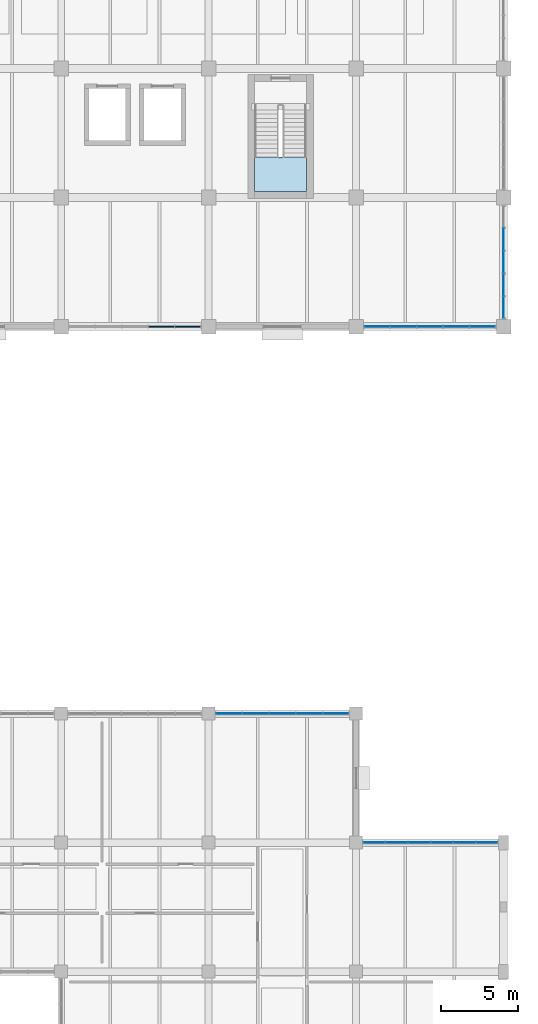
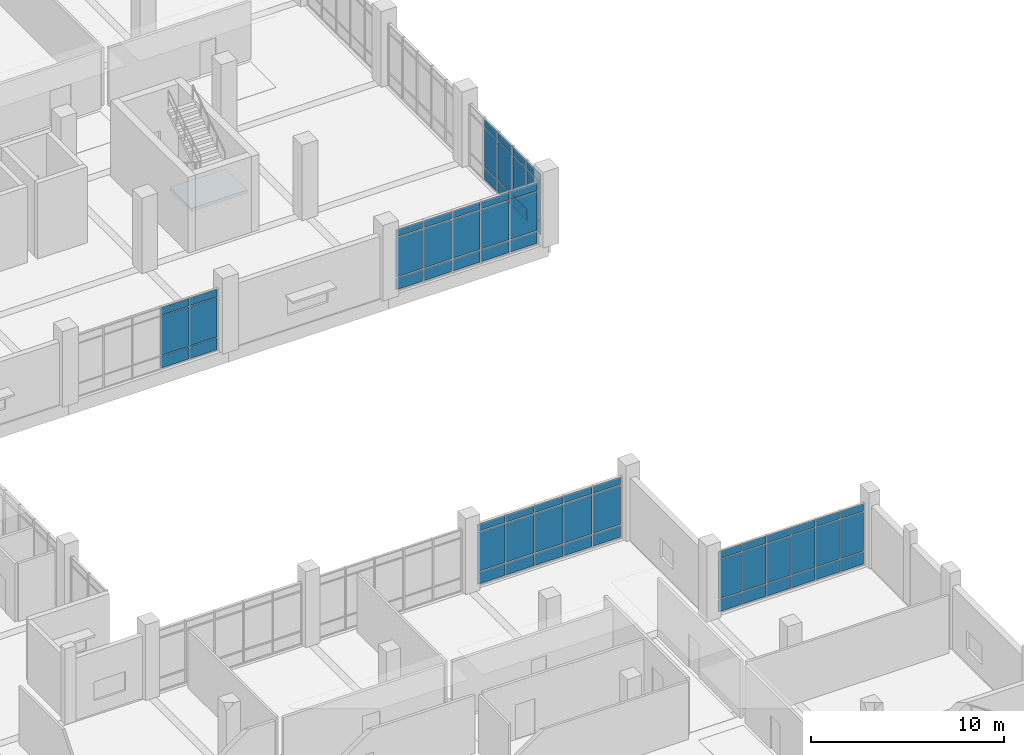
# One storey, part 106 of 152: 66 plates, 1 slab, 6 elements without a shape of their own.
"""IFC4 building model written with IfcOpenShell, lengths in metres."""

from ifc_helpers import new_model, si_unit, direction, frame, origin, origin_2d, place, context, subcontext, project, spatial, polyline, rectangle, outline, extrude, material, layer, layer_set, type_object, element, aggregate, save


model = new_model("IFC4")

# Units and contexts
model_context = context("Model", 3, precision=1e-05, world=origin(), true_north=direction((0.0, 1.0)))
body_context = subcontext(model_context, "Body", "Model", "MODEL_VIEW")
ifc_project = project(units=[si_unit("LENGTHUNIT", "METRE"), si_unit("AREAUNIT", "SQUARE_METRE"), si_unit("VOLUMEUNIT", "CUBIC_METRE"), si_unit("PLANEANGLEUNIT", "RADIAN"), si_unit("MASSUNIT", "GRAM", prefix="KILO")], contexts=[model_context])

# Site, building, storey
site_placement = place(None, origin())
site = spatial("IfcSite", under=ifc_project, at=site_placement, CompositionType="ELEMENT")
building_placement = place(site_placement, origin())
building = spatial("IfcBuilding", under=site, at=building_placement, Name="Oolite Switchyard Hospital", CompositionType="ELEMENT")
storey_placement = place(building_placement, frame((0.0, 0.0, 5.10009765625)))
storey = spatial("IfcBuildingStorey", under=building, at=storey_placement, Name="L01", CompositionType="ELEMENT", Elevation=5.10009765625)

# Curtain wall, plates
ifc_material_1 = material(Name="Thermally broken aluminum frame with laminated impact glazing", Category="aluminium")
curtain_wall_type_1 = type_object("IfcCurtainWallType", Name="CW-UNIT-96X48", PredefinedType="USERDEFINED", material=ifc_material_1)
curtain_wall_1_placement = place(storey_placement, origin())
curtain_wall_1 = element("IfcCurtainWall", 1, at=curtain_wall_1_placement, inside=storey, type_object=curtain_wall_type_1, Name="L01 Unitised Curtain Wall 144", ObjectType="UNITISED", PredefinedType="USERDEFINED")
ifc_material_2 = material(Name="Insulated fluoropolymer-coated aluminum spandrel panel", Category="aluminium")
ifc_layer_1 = layer(ifc_material_2, 0.070068359375)
ifc_layer_set_1 = layer_set([ifc_layer_1], Name="CW-PNL-SPN70")
plate_type_1 = type_object("IfcPlateType", Name="CW-PNL-SPN70", PredefinedType="CURTAIN_PANEL", material=ifc_layer_set_1)
plate_1_placement = place(storey_placement, frame((190.630615234375, 100.800048828125, 0.06005859375), z_axis=(0.0, 0.0, 1.0), x_axis=(-1.0, 0.0, 0.0)))
plate_1 = element("IfcPlate", 2, at=plate_1_placement, type_object=plate_type_1, Name="CW-02 panel 1.1", PredefinedType="CURTAIN_PANEL", context=body_context, shape_type="SweptSolid", body=[
    extrude(rectangle(XDim=1.618896484375, YDim=0.070068359375, at=origin_2d()), origin(), (0.0, 0.0, 1.0), 0.760009765625),
])
plate_2_placement = place(storey_placement, frame((190.630615234375, 100.800048828125, 0.8798828125), z_axis=(0.0, 0.0, 1.0), x_axis=(-1.0, 0.0, 0.0)))
plate_2 = element("IfcPlate", 3, at=plate_2_placement, type_object=plate_type_1, Name="CW-02 panel 1.2", PredefinedType="CURTAIN_PANEL", context=body_context, shape_type="SweptSolid", body=[
    extrude(rectangle(XDim=1.618896484375, YDim=0.070068359375, at=origin_2d()), origin(), (0.0, 0.0, 1.0), 2.47998046875),
])
plate_3_placement = place(storey_placement, frame((190.630615234375, 100.800048828125, 3.419921875), z_axis=(0.0, 0.0, 1.0), x_axis=(-1.0, 0.0, 0.0)))
plate_3 = element("IfcPlate", 4, at=plate_3_placement, type_object=plate_type_1, Name="CW-02 panel 1.3", PredefinedType="CURTAIN_PANEL", context=body_context, shape_type="SweptSolid", body=[
    extrude(rectangle(XDim=1.618896484375, YDim=0.070068359375, at=origin_2d()), origin(), (0.0, 0.0, 1.0), 0.4599609375),
])
plate_4_placement = place(storey_placement, frame((188.924072265625, 100.800048828125, 0.06005859375), z_axis=(0.0, 0.0, 1.0), x_axis=(-1.0, 0.0, 0.0)))
plate_4 = element("IfcPlate", 5, at=plate_4_placement, type_object=plate_type_1, Name="CW-02 panel 2.1", PredefinedType="CURTAIN_PANEL", context=body_context, shape_type="SweptSolid", body=[
    extrude(rectangle(XDim=1.654052734375, YDim=0.070068359375, at=origin_2d()), origin(), (0.0, 0.0, 1.0), 0.760009765625),
])
plate_5_placement = place(storey_placement, frame((188.924072265625, 100.800048828125, 0.8798828125), z_axis=(0.0, 0.0, 1.0), x_axis=(-1.0, 0.0, 0.0)))
plate_5 = element("IfcPlate", 6, at=plate_5_placement, type_object=plate_type_1, Name="CW-02 panel 2.2", PredefinedType="CURTAIN_PANEL", context=body_context, shape_type="SweptSolid", body=[
    extrude(rectangle(XDim=1.654052734375, YDim=0.070068359375, at=origin_2d()), origin(), (0.0, 0.0, 1.0), 2.47998046875),
])
plate_6_placement = place(storey_placement, frame((188.924072265625, 100.800048828125, 3.419921875), z_axis=(0.0, 0.0, 1.0), x_axis=(-1.0, 0.0, 0.0)))
plate_6 = element("IfcPlate", 7, at=plate_6_placement, type_object=plate_type_1, Name="CW-02 panel 2.3", PredefinedType="CURTAIN_PANEL", context=body_context, shape_type="SweptSolid", body=[
    extrude(rectangle(XDim=1.654052734375, YDim=0.070068359375, at=origin_2d()), origin(), (0.0, 0.0, 1.0), 0.4599609375),
])
aggregate(curtain_wall_1, [plate_1, plate_2, plate_3, plate_4, plate_5, plate_6])

curtain_wall_2_placement = place(storey_placement, origin())
curtain_wall_2 = element("IfcCurtainWall", 8, at=curtain_wall_2_placement, inside=storey, type_object=curtain_wall_type_1, Name="L01 Unitised Curtain Wall 134", ObjectType="UNITISED", PredefinedType="USERDEFINED")
ifc_material_3 = material(Name="Laminated hurricane-impact insulated glazing unit", Category="glass")
ifc_layer_2 = layer(ifc_material_3, 0.031982421875)
ifc_layer_set_2 = layer_set([ifc_layer_2], Name="CW-PNL-VIS32")
plate_type_2 = type_object("IfcPlateType", Name="CW-PNL-VIS32", PredefinedType="CURTAIN_PANEL", material=ifc_layer_set_2)
plate_7_placement = place(storey_placement, frame((202.7900390625, 67.199951171875, 0.06005859375), z_axis=(0.0, 0.0, 1.0), x_axis=(1.0, 0.0, 0.0)))
plate_7 = element("IfcPlate", 9, at=plate_7_placement, type_object=plate_type_2, Name="CW-02 panel 1.1", PredefinedType="CURTAIN_PANEL", context=body_context, shape_type="SweptSolid", body=[
    extrude(rectangle(XDim=1.3798828125, YDim=0.031982421875, at=origin_2d()), origin(), (0.0, 0.0, 1.0), 0.760009765625),
])
plate_8_placement = place(storey_placement, frame((202.7900390625, 67.199951171875, 0.8798828125), z_axis=(0.0, 0.0, 1.0), x_axis=(1.0, 0.0, 0.0)))
plate_8 = element("IfcPlate", 10, at=plate_8_placement, type_object=plate_type_2, Name="CW-02 panel 1.2", PredefinedType="CURTAIN_PANEL", context=body_context, shape_type="SweptSolid", body=[
    extrude(rectangle(XDim=1.3798828125, YDim=0.031982421875, at=origin_2d()), origin(), (0.0, 0.0, 1.0), 2.47998046875),
])
plate_9_placement = place(storey_placement, frame((202.7900390625, 67.199951171875, 3.419921875), z_axis=(0.0, 0.0, 1.0), x_axis=(1.0, 0.0, 0.0)))
plate_9 = element("IfcPlate", 11, at=plate_9_placement, type_object=plate_type_2, Name="CW-02 panel 1.3", PredefinedType="CURTAIN_PANEL", context=body_context, shape_type="SweptSolid", body=[
    extrude(rectangle(XDim=1.3798828125, YDim=0.031982421875, at=origin_2d()), origin(), (0.0, 0.0, 1.0), 0.4599609375),
])
plate_10_placement = place(storey_placement, frame((204.2451171875, 67.199951171875, 0.06005859375), z_axis=(0.0, 0.0, 1.0), x_axis=(1.0, 0.0, 0.0)))
plate_10 = element("IfcPlate", 12, at=plate_10_placement, type_object=plate_type_2, Name="CW-02 panel 2.1", PredefinedType="CURTAIN_PANEL", context=body_context, shape_type="SweptSolid", body=[
    extrude(rectangle(XDim=1.409912109375, YDim=0.031982421875, at=origin_2d()), origin(), (0.0, 0.0, 1.0), 0.760009765625),
])
plate_11_placement = place(storey_placement, frame((204.2451171875, 67.199951171875, 0.8798828125), z_axis=(0.0, 0.0, 1.0), x_axis=(1.0, 0.0, 0.0)))
plate_11 = element("IfcPlate", 13, at=plate_11_placement, type_object=plate_type_2, Name="CW-02 panel 2.2", PredefinedType="CURTAIN_PANEL", context=body_context, shape_type="SweptSolid", body=[
    extrude(rectangle(XDim=1.409912109375, YDim=0.031982421875, at=origin_2d()), origin(), (0.0, 0.0, 1.0), 2.47998046875),
])
plate_12_placement = place(storey_placement, frame((204.2451171875, 67.199951171875, 3.419921875), z_axis=(0.0, 0.0, 1.0), x_axis=(1.0, 0.0, 0.0)))
plate_12 = element("IfcPlate", 14, at=plate_12_placement, type_object=plate_type_2, Name="CW-02 panel 2.3", PredefinedType="CURTAIN_PANEL", context=body_context, shape_type="SweptSolid", body=[
    extrude(rectangle(XDim=1.409912109375, YDim=0.031982421875, at=origin_2d()), origin(), (0.0, 0.0, 1.0), 0.4599609375),
])
plate_13_placement = place(storey_placement, frame((205.715087890625, 67.199951171875, 0.06005859375), z_axis=(0.0, 0.0, 1.0), x_axis=(1.0, 0.0, 0.0)))
plate_13 = element("IfcPlate", 15, at=plate_13_placement, type_object=plate_type_2, Name="CW-02 panel 3.1", PredefinedType="CURTAIN_PANEL", context=body_context, shape_type="SweptSolid", body=[
    extrude(rectangle(XDim=1.409912109375, YDim=0.031982421875, at=origin_2d()), origin(), (0.0, 0.0, 1.0), 0.760009765625),
])
plate_14_placement = place(storey_placement, frame((205.715087890625, 67.199951171875, 0.8798828125), z_axis=(0.0, 0.0, 1.0), x_axis=(1.0, 0.0, 0.0)))
plate_14 = element("IfcPlate", 16, at=plate_14_placement, type_object=plate_type_2, Name="CW-02 panel 3.2", PredefinedType="CURTAIN_PANEL", context=body_context, shape_type="SweptSolid", body=[
    extrude(rectangle(XDim=1.409912109375, YDim=0.031982421875, at=origin_2d()), origin(), (0.0, 0.0, 1.0), 2.47998046875),
])
plate_15_placement = place(storey_placement, frame((205.715087890625, 67.199951171875, 3.419921875), z_axis=(0.0, 0.0, 1.0), x_axis=(1.0, 0.0, 0.0)))
plate_15 = element("IfcPlate", 17, at=plate_15_placement, type_object=plate_type_2, Name="CW-02 panel 3.3", PredefinedType="CURTAIN_PANEL", context=body_context, shape_type="SweptSolid", body=[
    extrude(rectangle(XDim=1.409912109375, YDim=0.031982421875, at=origin_2d()), origin(), (0.0, 0.0, 1.0), 0.4599609375),
])
plate_16_placement = place(storey_placement, frame((207.18505859375, 67.199951171875, 0.06005859375), z_axis=(0.0, 0.0, 1.0), x_axis=(1.0, 0.0, 0.0)))
plate_16 = element("IfcPlate", 18, at=plate_16_placement, type_object=plate_type_2, Name="CW-02 panel 4.1", PredefinedType="CURTAIN_PANEL", context=body_context, shape_type="SweptSolid", body=[
    extrude(rectangle(XDim=1.409912109375, YDim=0.031982421875, at=origin_2d()), origin(), (0.0, 0.0, 1.0), 0.760009765625),
])
plate_17_placement = place(storey_placement, frame((207.18505859375, 67.199951171875, 0.8798828125), z_axis=(0.0, 0.0, 1.0), x_axis=(1.0, 0.0, 0.0)))
plate_17 = element("IfcPlate", 19, at=plate_17_placement, type_object=plate_type_2, Name="CW-02 panel 4.2", PredefinedType="CURTAIN_PANEL", context=body_context, shape_type="SweptSolid", body=[
    extrude(rectangle(XDim=1.409912109375, YDim=0.031982421875, at=origin_2d()), origin(), (0.0, 0.0, 1.0), 2.47998046875),
])
plate_18_placement = place(storey_placement, frame((207.18505859375, 67.199951171875, 3.419921875), z_axis=(0.0, 0.0, 1.0), x_axis=(1.0, 0.0, 0.0)))
plate_18 = element("IfcPlate", 20, at=plate_18_placement, type_object=plate_type_2, Name="CW-02 panel 4.3", PredefinedType="CURTAIN_PANEL", context=body_context, shape_type="SweptSolid", body=[
    extrude(rectangle(XDim=1.409912109375, YDim=0.031982421875, at=origin_2d()), origin(), (0.0, 0.0, 1.0), 0.4599609375),
])
plate_19_placement = place(storey_placement, frame((208.655029296875, 67.199951171875, 0.06005859375), z_axis=(0.0, 0.0, 1.0), x_axis=(1.0, 0.0, 0.0)))
plate_19 = element("IfcPlate", 21, at=plate_19_placement, type_object=plate_type_2, Name="CW-02 panel 5.1", PredefinedType="CURTAIN_PANEL", context=body_context, shape_type="SweptSolid", body=[
    extrude(rectangle(XDim=1.409912109375, YDim=0.031982421875, at=origin_2d()), origin(), (0.0, 0.0, 1.0), 0.760009765625),
])
plate_20_placement = place(storey_placement, frame((208.655029296875, 67.199951171875, 0.8798828125), z_axis=(0.0, 0.0, 1.0), x_axis=(1.0, 0.0, 0.0)))
plate_20 = element("IfcPlate", 22, at=plate_20_placement, type_object=plate_type_2, Name="CW-02 panel 5.2", PredefinedType="CURTAIN_PANEL", context=body_context, shape_type="SweptSolid", body=[
    extrude(rectangle(XDim=1.409912109375, YDim=0.031982421875, at=origin_2d()), origin(), (0.0, 0.0, 1.0), 2.47998046875),
])
plate_21_placement = place(storey_placement, frame((208.655029296875, 67.199951171875, 3.419921875), z_axis=(0.0, 0.0, 1.0), x_axis=(1.0, 0.0, 0.0)))
plate_21 = element("IfcPlate", 23, at=plate_21_placement, type_object=plate_type_2, Name="CW-02 panel 5.3", PredefinedType="CURTAIN_PANEL", context=body_context, shape_type="SweptSolid", body=[
    extrude(rectangle(XDim=1.409912109375, YDim=0.031982421875, at=origin_2d()), origin(), (0.0, 0.0, 1.0), 0.4599609375),
])
plate_22_placement = place(storey_placement, frame((210.110107421875, 67.199951171875, 0.06005859375), z_axis=(0.0, 0.0, 1.0), x_axis=(1.0, 0.0, 0.0)))
plate_22 = element("IfcPlate", 24, at=plate_22_placement, type_object=plate_type_2, Name="CW-02 panel 6.1", PredefinedType="CURTAIN_PANEL", context=body_context, shape_type="SweptSolid", body=[
    extrude(rectangle(XDim=1.3798828125, YDim=0.031982421875, at=origin_2d()), origin(), (0.0, 0.0, 1.0), 0.760009765625),
])
plate_23_placement = place(storey_placement, frame((210.110107421875, 67.199951171875, 0.8798828125), z_axis=(0.0, 0.0, 1.0), x_axis=(1.0, 0.0, 0.0)))
plate_23 = element("IfcPlate", 25, at=plate_23_placement, type_object=plate_type_2, Name="CW-02 panel 6.2", PredefinedType="CURTAIN_PANEL", context=body_context, shape_type="SweptSolid", body=[
    extrude(rectangle(XDim=1.3798828125, YDim=0.031982421875, at=origin_2d()), origin(), (0.0, 0.0, 1.0), 2.47998046875),
])
plate_24_placement = place(storey_placement, frame((210.110107421875, 67.199951171875, 3.419921875), z_axis=(0.0, 0.0, 1.0), x_axis=(1.0, 0.0, 0.0)))
plate_24 = element("IfcPlate", 26, at=plate_24_placement, type_object=plate_type_2, Name="CW-02 panel 6.3", PredefinedType="CURTAIN_PANEL", context=body_context, shape_type="SweptSolid", body=[
    extrude(rectangle(XDim=1.3798828125, YDim=0.031982421875, at=origin_2d()), origin(), (0.0, 0.0, 1.0), 0.4599609375),
])
aggregate(curtain_wall_2, [plate_7, plate_8, plate_9, plate_10, plate_11, plate_12, plate_13, plate_14, plate_15, plate_16, plate_17, plate_18, plate_19, plate_20, plate_21, plate_22, plate_23, plate_24])

curtain_wall_3_placement = place(storey_placement, origin())
curtain_wall_3 = element("IfcCurtainWall", 27, at=curtain_wall_3_placement, inside=storey, type_object=curtain_wall_type_1, Name="L01 Unitised Curtain Wall 137", ObjectType="UNITISED", PredefinedType="USERDEFINED")
ifc_layer_3 = layer(ifc_material_3, 0.035888671875)
ifc_layer_set_3 = layer_set([ifc_layer_3], Name="CW-PNL-VIS36")
plate_type_3 = type_object("IfcPlateType", Name="CW-PNL-VIS36", PredefinedType="CURTAIN_PANEL", material=ifc_layer_set_3)
plate_25_placement = place(storey_placement, frame((193.326904296875, 75.60009765625, 0.07470703125), z_axis=(0.0, 0.0, 1.0), x_axis=(1.0, 0.0, 0.0)))
plate_25 = element("IfcPlate", 28, at=plate_25_placement, type_object=plate_type_3, Name="CW-02 panel 1.1", PredefinedType="CURTAIN_PANEL", context=body_context, shape_type="SweptSolid", body=[
    extrude(rectangle(XDim=1.654052734375, YDim=0.035888671875, at=origin_2d()), origin(), (0.0, 0.0, 1.0), 0.737548828125),
])
plate_26_placement = place(storey_placement, frame((193.326904296875, 75.60009765625, 0.88720703125), z_axis=(0.0, 0.0, 1.0), x_axis=(1.0, 0.0, 0.0)))
plate_26 = element("IfcPlate", 29, at=plate_26_placement, type_object=plate_type_3, Name="CW-02 panel 1.2", PredefinedType="CURTAIN_PANEL", context=body_context, shape_type="SweptSolid", body=[
    extrude(rectangle(XDim=1.654052734375, YDim=0.035888671875, at=origin_2d()), origin(), (0.0, 0.0, 1.0), 2.465087890625),
])
plate_27_placement = place(storey_placement, frame((193.326904296875, 75.60009765625, 3.427490234375), z_axis=(0.0, 0.0, 1.0), x_axis=(1.0, 0.0, 0.0)))
plate_27 = element("IfcPlate", 30, at=plate_27_placement, type_object=plate_type_3, Name="CW-02 panel 1.3", PredefinedType="CURTAIN_PANEL", context=body_context, shape_type="SweptSolid", body=[
    extrude(rectangle(XDim=1.654052734375, YDim=0.035888671875, at=origin_2d()), origin(), (0.0, 0.0, 1.0), 0.4375),
])
plate_28_placement = place(storey_placement, frame((195.055908203125, 75.60009765625, 0.07470703125), z_axis=(0.0, 0.0, 1.0), x_axis=(1.0, 0.0, 0.0)))
plate_28 = element("IfcPlate", 31, at=plate_28_placement, type_object=plate_type_3, Name="CW-02 panel 2.1", PredefinedType="CURTAIN_PANEL", context=body_context, shape_type="SweptSolid", body=[
    extrude(rectangle(XDim=1.68408203125, YDim=0.035888671875, at=origin_2d()), origin(), (0.0, 0.0, 1.0), 0.737548828125),
])
plate_29_placement = place(storey_placement, frame((195.055908203125, 75.60009765625, 0.88720703125), z_axis=(0.0, 0.0, 1.0), x_axis=(1.0, 0.0, 0.0)))
plate_29 = element("IfcPlate", 32, at=plate_29_placement, type_object=plate_type_3, Name="CW-02 panel 2.2", PredefinedType="CURTAIN_PANEL", context=body_context, shape_type="SweptSolid", body=[
    extrude(rectangle(XDim=1.68408203125, YDim=0.035888671875, at=origin_2d()), origin(), (0.0, 0.0, 1.0), 2.465087890625),
])
plate_30_placement = place(storey_placement, frame((195.055908203125, 75.60009765625, 3.427490234375), z_axis=(0.0, 0.0, 1.0), x_axis=(1.0, 0.0, 0.0)))
plate_30 = element("IfcPlate", 33, at=plate_30_placement, type_object=plate_type_3, Name="CW-02 panel 2.3", PredefinedType="CURTAIN_PANEL", context=body_context, shape_type="SweptSolid", body=[
    extrude(rectangle(XDim=1.68408203125, YDim=0.035888671875, at=origin_2d()), origin(), (0.0, 0.0, 1.0), 0.4375),
])
plate_31_placement = place(storey_placement, frame((196.800048828125, 75.60009765625, 0.07470703125), z_axis=(0.0, 0.0, 1.0), x_axis=(1.0, 0.0, 0.0)))
plate_31 = element("IfcPlate", 34, at=plate_31_placement, type_object=plate_type_3, Name="CW-02 panel 3.1", PredefinedType="CURTAIN_PANEL", context=body_context, shape_type="SweptSolid", body=[
    extrude(rectangle(XDim=1.68408203125, YDim=0.035888671875, at=origin_2d()), origin(), (0.0, 0.0, 1.0), 0.737548828125),
])
plate_32_placement = place(storey_placement, frame((196.800048828125, 75.60009765625, 0.88720703125), z_axis=(0.0, 0.0, 1.0), x_axis=(1.0, 0.0, 0.0)))
plate_32 = element("IfcPlate", 35, at=plate_32_placement, type_object=plate_type_3, Name="CW-02 panel 3.2", PredefinedType="CURTAIN_PANEL", context=body_context, shape_type="SweptSolid", body=[
    extrude(rectangle(XDim=1.68408203125, YDim=0.035888671875, at=origin_2d()), origin(), (0.0, 0.0, 1.0), 2.465087890625),
])
plate_33_placement = place(storey_placement, frame((196.800048828125, 75.60009765625, 3.427490234375), z_axis=(0.0, 0.0, 1.0), x_axis=(1.0, 0.0, 0.0)))
plate_33 = element("IfcPlate", 36, at=plate_33_placement, type_object=plate_type_3, Name="CW-02 panel 3.3", PredefinedType="CURTAIN_PANEL", context=body_context, shape_type="SweptSolid", body=[
    extrude(rectangle(XDim=1.68408203125, YDim=0.035888671875, at=origin_2d()), origin(), (0.0, 0.0, 1.0), 0.4375),
])
plate_34_placement = place(storey_placement, frame((198.5439453125, 75.60009765625, 0.07470703125), z_axis=(0.0, 0.0, 1.0), x_axis=(1.0, 0.0, 0.0)))
plate_34 = element("IfcPlate", 37, at=plate_34_placement, type_object=plate_type_3, Name="CW-02 panel 4.1", PredefinedType="CURTAIN_PANEL", context=body_context, shape_type="SweptSolid", body=[
    extrude(rectangle(XDim=1.68408203125, YDim=0.035888671875, at=origin_2d()), origin(), (0.0, 0.0, 1.0), 0.737548828125),
])
plate_35_placement = place(storey_placement, frame((198.5439453125, 75.60009765625, 0.88720703125), z_axis=(0.0, 0.0, 1.0), x_axis=(1.0, 0.0, 0.0)))
plate_35 = element("IfcPlate", 38, at=plate_35_placement, type_object=plate_type_3, Name="CW-02 panel 4.2", PredefinedType="CURTAIN_PANEL", context=body_context, shape_type="SweptSolid", body=[
    extrude(rectangle(XDim=1.68408203125, YDim=0.035888671875, at=origin_2d()), origin(), (0.0, 0.0, 1.0), 2.465087890625),
])
plate_36_placement = place(storey_placement, frame((198.5439453125, 75.60009765625, 3.427490234375), z_axis=(0.0, 0.0, 1.0), x_axis=(1.0, 0.0, 0.0)))
plate_36 = element("IfcPlate", 39, at=plate_36_placement, type_object=plate_type_3, Name="CW-02 panel 4.3", PredefinedType="CURTAIN_PANEL", context=body_context, shape_type="SweptSolid", body=[
    extrude(rectangle(XDim=1.68408203125, YDim=0.035888671875, at=origin_2d()), origin(), (0.0, 0.0, 1.0), 0.4375),
])
plate_37_placement = place(storey_placement, frame((200.27294921875, 75.60009765625, 0.07470703125), z_axis=(0.0, 0.0, 1.0), x_axis=(1.0, 0.0, 0.0)))
plate_37 = element("IfcPlate", 40, at=plate_37_placement, type_object=plate_type_3, Name="CW-02 panel 5.1", PredefinedType="CURTAIN_PANEL", context=body_context, shape_type="SweptSolid", body=[
    extrude(rectangle(XDim=1.654052734375, YDim=0.035888671875, at=origin_2d()), origin(), (0.0, 0.0, 1.0), 0.737548828125),
])
plate_38_placement = place(storey_placement, frame((200.27294921875, 75.60009765625, 0.88720703125), z_axis=(0.0, 0.0, 1.0), x_axis=(1.0, 0.0, 0.0)))
plate_38 = element("IfcPlate", 41, at=plate_38_placement, type_object=plate_type_3, Name="CW-02 panel 5.2", PredefinedType="CURTAIN_PANEL", context=body_context, shape_type="SweptSolid", body=[
    extrude(rectangle(XDim=1.654052734375, YDim=0.035888671875, at=origin_2d()), origin(), (0.0, 0.0, 1.0), 2.465087890625),
])
plate_39_placement = place(storey_placement, frame((200.27294921875, 75.60009765625, 3.427490234375), z_axis=(0.0, 0.0, 1.0), x_axis=(1.0, 0.0, 0.0)))
plate_39 = element("IfcPlate", 42, at=plate_39_placement, type_object=plate_type_3, Name="CW-02 panel 5.3", PredefinedType="CURTAIN_PANEL", context=body_context, shape_type="SweptSolid", body=[
    extrude(rectangle(XDim=1.654052734375, YDim=0.035888671875, at=origin_2d()), origin(), (0.0, 0.0, 1.0), 0.4375),
])
aggregate(curtain_wall_3, [plate_25, plate_26, plate_27, plate_28, plate_29, plate_30, plate_31, plate_32, plate_33, plate_34, plate_35, plate_36, plate_37, plate_38, plate_39])

curtain_wall_4_placement = place(storey_placement, origin())
curtain_wall_4 = element("IfcCurtainWall", 43, at=curtain_wall_4_placement, inside=storey, type_object=curtain_wall_type_1, Name="L01 Unitised Curtain Wall 145", ObjectType="UNITISED", PredefinedType="USERDEFINED")
plate_40_placement = place(storey_placement, frame((209.829345703125, 100.800048828125, 0.07470703125), z_axis=(0.0, 0.0, 1.0), x_axis=(-1.0, 0.0, 0.0)))
plate_40 = element("IfcPlate", 44, at=plate_40_placement, type_object=plate_type_3, Name="CW-02 panel 1.1", PredefinedType="CURTAIN_PANEL", context=body_context, shape_type="SweptSolid", body=[
    extrude(rectangle(XDim=1.611572265625, YDim=0.035888671875, at=origin_2d()), origin(), (0.0, 0.0, 1.0), 0.737548828125),
])
plate_41_placement = place(storey_placement, frame((209.829345703125, 100.800048828125, 0.88720703125), z_axis=(0.0, 0.0, 1.0), x_axis=(-1.0, 0.0, 0.0)))
plate_41 = element("IfcPlate", 45, at=plate_41_placement, type_object=plate_type_3, Name="CW-02 panel 1.2", PredefinedType="CURTAIN_PANEL", context=body_context, shape_type="SweptSolid", body=[
    extrude(rectangle(XDim=1.611572265625, YDim=0.035888671875, at=origin_2d()), origin(), (0.0, 0.0, 1.0), 2.465087890625),
])
plate_42_placement = place(storey_placement, frame((209.829345703125, 100.800048828125, 3.427490234375), z_axis=(0.0, 0.0, 1.0), x_axis=(-1.0, 0.0, 0.0)))
plate_42 = element("IfcPlate", 46, at=plate_42_placement, type_object=plate_type_3, Name="CW-02 panel 1.3", PredefinedType="CURTAIN_PANEL", context=body_context, shape_type="SweptSolid", body=[
    extrude(rectangle(XDim=1.611572265625, YDim=0.035888671875, at=origin_2d()), origin(), (0.0, 0.0, 1.0), 0.4375),
])
plate_43_placement = place(storey_placement, frame((208.1240234375, 100.800048828125, 0.07470703125), z_axis=(0.0, 0.0, 1.0), x_axis=(-1.0, 0.0, 0.0)))
plate_43 = element("IfcPlate", 47, at=plate_43_placement, type_object=plate_type_3, Name="CW-02 panel 2.1", PredefinedType="CURTAIN_PANEL", context=body_context, shape_type="SweptSolid", body=[
    extrude(rectangle(XDim=1.64892578125, YDim=0.035888671875, at=origin_2d()), origin(), (0.0, 0.0, 1.0), 0.737548828125),
])
plate_44_placement = place(storey_placement, frame((208.1240234375, 100.800048828125, 0.88720703125), z_axis=(0.0, 0.0, 1.0), x_axis=(-1.0, 0.0, 0.0)))
plate_44 = element("IfcPlate", 48, at=plate_44_placement, type_object=plate_type_3, Name="CW-02 panel 2.2", PredefinedType="CURTAIN_PANEL", context=body_context, shape_type="SweptSolid", body=[
    extrude(rectangle(XDim=1.64892578125, YDim=0.035888671875, at=origin_2d()), origin(), (0.0, 0.0, 1.0), 2.465087890625),
])
plate_45_placement = place(storey_placement, frame((208.1240234375, 100.800048828125, 3.427490234375), z_axis=(0.0, 0.0, 1.0), x_axis=(-1.0, 0.0, 0.0)))
plate_45 = element("IfcPlate", 49, at=plate_45_placement, type_object=plate_type_3, Name="CW-02 panel 2.3", PredefinedType="CURTAIN_PANEL", context=body_context, shape_type="SweptSolid", body=[
    extrude(rectangle(XDim=1.64892578125, YDim=0.035888671875, at=origin_2d()), origin(), (0.0, 0.0, 1.0), 0.4375),
])
plate_46_placement = place(storey_placement, frame((206.39990234375, 100.800048828125, 0.07470703125), z_axis=(0.0, 0.0, 1.0), x_axis=(-1.0, 0.0, 0.0)))
plate_46 = element("IfcPlate", 50, at=plate_46_placement, type_object=plate_type_3, Name="CW-02 panel 3.1", PredefinedType="CURTAIN_PANEL", context=body_context, shape_type="SweptSolid", body=[
    extrude(rectangle(XDim=1.64892578125, YDim=0.035888671875, at=origin_2d()), origin(), (0.0, 0.0, 1.0), 0.737548828125),
])
plate_47_placement = place(storey_placement, frame((206.39990234375, 100.800048828125, 0.88720703125), z_axis=(0.0, 0.0, 1.0), x_axis=(-1.0, 0.0, 0.0)))
plate_47 = element("IfcPlate", 51, at=plate_47_placement, type_object=plate_type_3, Name="CW-02 panel 3.2", PredefinedType="CURTAIN_PANEL", context=body_context, shape_type="SweptSolid", body=[
    extrude(rectangle(XDim=1.64892578125, YDim=0.035888671875, at=origin_2d()), origin(), (0.0, 0.0, 1.0), 2.465087890625),
])
plate_48_placement = place(storey_placement, frame((206.39990234375, 100.800048828125, 3.427490234375), z_axis=(0.0, 0.0, 1.0), x_axis=(-1.0, 0.0, 0.0)))
plate_48 = element("IfcPlate", 52, at=plate_48_placement, type_object=plate_type_3, Name="CW-02 panel 3.3", PredefinedType="CURTAIN_PANEL", context=body_context, shape_type="SweptSolid", body=[
    extrude(rectangle(XDim=1.64892578125, YDim=0.035888671875, at=origin_2d()), origin(), (0.0, 0.0, 1.0), 0.4375),
])
plate_49_placement = place(storey_placement, frame((204.676025390625, 100.800048828125, 0.07470703125), z_axis=(0.0, 0.0, 1.0), x_axis=(-1.0, 0.0, 0.0)))
plate_49 = element("IfcPlate", 53, at=plate_49_placement, type_object=plate_type_3, Name="CW-02 panel 4.1", PredefinedType="CURTAIN_PANEL", context=body_context, shape_type="SweptSolid", body=[
    extrude(rectangle(XDim=1.64892578125, YDim=0.035888671875, at=origin_2d()), origin(), (0.0, 0.0, 1.0), 0.737548828125),
])
plate_50_placement = place(storey_placement, frame((204.676025390625, 100.800048828125, 0.88720703125), z_axis=(0.0, 0.0, 1.0), x_axis=(-1.0, 0.0, 0.0)))
plate_50 = element("IfcPlate", 54, at=plate_50_placement, type_object=plate_type_3, Name="CW-02 panel 4.2", PredefinedType="CURTAIN_PANEL", context=body_context, shape_type="SweptSolid", body=[
    extrude(rectangle(XDim=1.64892578125, YDim=0.035888671875, at=origin_2d()), origin(), (0.0, 0.0, 1.0), 2.465087890625),
])
plate_51_placement = place(storey_placement, frame((204.676025390625, 100.800048828125, 3.427490234375), z_axis=(0.0, 0.0, 1.0), x_axis=(-1.0, 0.0, 0.0)))
plate_51 = element("IfcPlate", 55, at=plate_51_placement, type_object=plate_type_3, Name="CW-02 panel 4.3", PredefinedType="CURTAIN_PANEL", context=body_context, shape_type="SweptSolid", body=[
    extrude(rectangle(XDim=1.64892578125, YDim=0.035888671875, at=origin_2d()), origin(), (0.0, 0.0, 1.0), 0.4375),
])
plate_52_placement = place(storey_placement, frame((202.970703125, 100.800048828125, 0.07470703125), z_axis=(0.0, 0.0, 1.0), x_axis=(-1.0, 0.0, 0.0)))
plate_52 = element("IfcPlate", 56, at=plate_52_placement, type_object=plate_type_3, Name="CW-02 panel 5.1", PredefinedType="CURTAIN_PANEL", context=body_context, shape_type="SweptSolid", body=[
    extrude(rectangle(XDim=1.611572265625, YDim=0.035888671875, at=origin_2d()), origin(), (0.0, 0.0, 1.0), 0.737548828125),
])
plate_53_placement = place(storey_placement, frame((202.970703125, 100.800048828125, 0.88720703125), z_axis=(0.0, 0.0, 1.0), x_axis=(-1.0, 0.0, 0.0)))
plate_53 = element("IfcPlate", 57, at=plate_53_placement, type_object=plate_type_3, Name="CW-02 panel 5.2", PredefinedType="CURTAIN_PANEL", context=body_context, shape_type="SweptSolid", body=[
    extrude(rectangle(XDim=1.611572265625, YDim=0.035888671875, at=origin_2d()), origin(), (0.0, 0.0, 1.0), 2.465087890625),
])
plate_54_placement = place(storey_placement, frame((202.970703125, 100.800048828125, 3.427490234375), z_axis=(0.0, 0.0, 1.0), x_axis=(-1.0, 0.0, 0.0)))
plate_54 = element("IfcPlate", 58, at=plate_54_placement, type_object=plate_type_3, Name="CW-02 panel 5.3", PredefinedType="CURTAIN_PANEL", context=body_context, shape_type="SweptSolid", body=[
    extrude(rectangle(XDim=1.611572265625, YDim=0.035888671875, at=origin_2d()), origin(), (0.0, 0.0, 1.0), 0.4375),
])
aggregate(curtain_wall_4, [plate_40, plate_41, plate_42, plate_43, plate_44, plate_45, plate_46, plate_47, plate_48, plate_49, plate_50, plate_51, plate_52, plate_53, plate_54])

curtain_wall_type_2 = type_object("IfcCurtainWallType", Name="CW-UNIT-84X48", PredefinedType="USERDEFINED", material=ifc_material_1)
curtain_wall_5_placement = place(storey_placement, origin())
curtain_wall_5 = element("IfcCurtainWall", 59, at=curtain_wall_5_placement, inside=storey, type_object=curtain_wall_type_2, Name="L01 Unitised Curtain Wall 208", ObjectType="UNITISED", PredefinedType="USERDEFINED")
ifc_layer_4 = layer(ifc_material_3, 0.0419921875)
ifc_layer_set_4 = layer_set([ifc_layer_4], Name="CW-PNL-VIS42")
plate_type_4 = type_object("IfcPlateType", Name="CW-PNL-VIS42", PredefinedType="CURTAIN_PANEL", material=ifc_layer_set_4)
plate_55_placement = place(storey_placement, frame((211.199951171875, 106.48388671875, 0.06005859375), z_axis=(0.0, 0.0, 1.0), x_axis=(0.0, -1.0, 0.0)))
plate_55 = element("IfcPlate", 60, at=plate_55_placement, type_object=plate_type_4, Name="CW-07 panel 2.1", PredefinedType="CURTAIN_PANEL", context=body_context, shape_type="SweptSolid", body=[
    extrude(rectangle(XDim=1.408935546875, YDim=0.0419921875, at=origin_2d()), origin(), (0.0, 0.0, 1.0), 0.760009765625),
])
plate_56_placement = place(storey_placement, frame((211.199951171875, 106.48388671875, 0.8798828125), z_axis=(0.0, 0.0, 1.0), x_axis=(0.0, -1.0, 0.0)))
plate_56 = element("IfcPlate", 61, at=plate_56_placement, type_object=plate_type_4, Name="CW-07 panel 2.2", PredefinedType="CURTAIN_PANEL", context=body_context, shape_type="SweptSolid", body=[
    extrude(rectangle(XDim=1.408935546875, YDim=0.0419921875, at=origin_2d()), origin(), (0.0, 0.0, 1.0), 2.47998046875),
])
plate_57_placement = place(storey_placement, frame((211.199951171875, 106.48388671875, 3.419921875), z_axis=(0.0, 0.0, 1.0), x_axis=(0.0, -1.0, 0.0)))
plate_57 = element("IfcPlate", 62, at=plate_57_placement, type_object=plate_type_4, Name="CW-07 panel 2.3", PredefinedType="CURTAIN_PANEL", context=body_context, shape_type="SweptSolid", body=[
    extrude(rectangle(XDim=1.408935546875, YDim=0.0419921875, at=origin_2d()), origin(), (0.0, 0.0, 1.0), 0.4599609375),
])
plate_58_placement = place(storey_placement, frame((211.199951171875, 105.0, 0.06005859375), z_axis=(0.0, 0.0, 1.0), x_axis=(0.0, -1.0, 0.0)))
plate_58 = element("IfcPlate", 63, at=plate_58_placement, type_object=plate_type_4, Name="CW-07 panel 3.1", PredefinedType="CURTAIN_PANEL", context=body_context, shape_type="SweptSolid", body=[
    extrude(rectangle(XDim=1.408935546875, YDim=0.0419921875, at=origin_2d()), origin(), (0.0, 0.0, 1.0), 0.760009765625),
])
plate_59_placement = place(storey_placement, frame((211.199951171875, 105.0, 0.8798828125), z_axis=(0.0, 0.0, 1.0), x_axis=(0.0, -1.0, 0.0)))
plate_59 = element("IfcPlate", 64, at=plate_59_placement, type_object=plate_type_4, Name="CW-07 panel 3.2", PredefinedType="CURTAIN_PANEL", context=body_context, shape_type="SweptSolid", body=[
    extrude(rectangle(XDim=1.408935546875, YDim=0.0419921875, at=origin_2d()), origin(), (0.0, 0.0, 1.0), 2.47998046875),
])
plate_60_placement = place(storey_placement, frame((211.199951171875, 105.0, 3.419921875), z_axis=(0.0, 0.0, 1.0), x_axis=(0.0, -1.0, 0.0)))
plate_60 = element("IfcPlate", 65, at=plate_60_placement, type_object=plate_type_4, Name="CW-07 panel 3.3", PredefinedType="CURTAIN_PANEL", context=body_context, shape_type="SweptSolid", body=[
    extrude(rectangle(XDim=1.408935546875, YDim=0.0419921875, at=origin_2d()), origin(), (0.0, 0.0, 1.0), 0.4599609375),
])
plate_61_placement = place(storey_placement, frame((211.199951171875, 103.51611328125, 0.06005859375), z_axis=(0.0, 0.0, 1.0), x_axis=(0.0, -1.0, 0.0)))
plate_61 = element("IfcPlate", 66, at=plate_61_placement, type_object=plate_type_4, Name="CW-07 panel 4.1", PredefinedType="CURTAIN_PANEL", context=body_context, shape_type="SweptSolid", body=[
    extrude(rectangle(XDim=1.408935546875, YDim=0.0419921875, at=origin_2d()), origin(), (0.0, 0.0, 1.0), 0.760009765625),
])
plate_62_placement = place(storey_placement, frame((211.199951171875, 103.51611328125, 0.8798828125), z_axis=(0.0, 0.0, 1.0), x_axis=(0.0, -1.0, 0.0)))
plate_62 = element("IfcPlate", 67, at=plate_62_placement, type_object=plate_type_4, Name="CW-07 panel 4.2", PredefinedType="CURTAIN_PANEL", context=body_context, shape_type="SweptSolid", body=[
    extrude(rectangle(XDim=1.408935546875, YDim=0.0419921875, at=origin_2d()), origin(), (0.0, 0.0, 1.0), 2.47998046875),
])
plate_63_placement = place(storey_placement, frame((211.199951171875, 103.51611328125, 3.419921875), z_axis=(0.0, 0.0, 1.0), x_axis=(0.0, -1.0, 0.0)))
plate_63 = element("IfcPlate", 68, at=plate_63_placement, type_object=plate_type_4, Name="CW-07 panel 4.3", PredefinedType="CURTAIN_PANEL", context=body_context, shape_type="SweptSolid", body=[
    extrude(rectangle(XDim=1.408935546875, YDim=0.0419921875, at=origin_2d()), origin(), (0.0, 0.0, 1.0), 0.4599609375),
])
plate_64_placement = place(storey_placement, frame((211.199951171875, 102.05078125, 0.06005859375), z_axis=(0.0, 0.0, 1.0), x_axis=(0.0, -1.0, 0.0)))
plate_64 = element("IfcPlate", 69, at=plate_64_placement, type_object=plate_type_4, Name="CW-07 panel 5.1", PredefinedType="CURTAIN_PANEL", context=body_context, shape_type="SweptSolid", body=[
    extrude(rectangle(XDim=1.37158203125, YDim=0.0419921875, at=origin_2d()), origin(), (0.0, 0.0, 1.0), 0.760009765625),
])
plate_65_placement = place(storey_placement, frame((211.199951171875, 102.05078125, 0.8798828125), z_axis=(0.0, 0.0, 1.0), x_axis=(0.0, -1.0, 0.0)))
plate_65 = element("IfcPlate", 70, at=plate_65_placement, type_object=plate_type_4, Name="CW-07 panel 5.2", PredefinedType="CURTAIN_PANEL", context=body_context, shape_type="SweptSolid", body=[
    extrude(rectangle(XDim=1.37158203125, YDim=0.0419921875, at=origin_2d()), origin(), (0.0, 0.0, 1.0), 2.47998046875),
])
plate_66_placement = place(storey_placement, frame((211.199951171875, 102.05078125, 3.419921875), z_axis=(0.0, 0.0, 1.0), x_axis=(0.0, -1.0, 0.0)))
plate_66 = element("IfcPlate", 71, at=plate_66_placement, type_object=plate_type_4, Name="CW-07 panel 5.3", PredefinedType="CURTAIN_PANEL", context=body_context, shape_type="SweptSolid", body=[
    extrude(rectangle(XDim=1.37158203125, YDim=0.0419921875, at=origin_2d()), origin(), (0.0, 0.0, 1.0), 0.4599609375),
])
aggregate(curtain_wall_5, [plate_55, plate_56, plate_57, plate_58, plate_59, plate_60, plate_61, plate_62, plate_63, plate_64, plate_65, plate_66])

# Stair, slab
ifc_material_4 = material(Name="Concrete C40/50", Category="concrete")
stair_type = type_object("IfcStairType", Name="STR-DL-156-R26", PredefinedType="HALF_TURN_STAIR", material=ifc_material_4)
stair_placement = place(storey_placement, origin())
stair = element("IfcStair", 72, at=stair_placement, inside=storey, type_object=stair_type, Name="L01 Exit Stair ST-04", PredefinedType="HALF_TURN_STAIR")
ifc_layer_5 = layer(ifc_material_4, 0.199951171875)
ifc_layer_set_5 = layer_set([ifc_layer_5], Name="SLB-LND-200")
slab_type = type_object("IfcSlabType", Name="SLB-LND-200", PredefinedType="LANDING", material=ifc_layer_set_5)
slab_placement = place(storey_placement, frame((0.0, 0.0, 2.199951171875)))
slab = element("IfcSlab", 73, at=slab_placement, type_object=slab_type, Name="ST-04 landing 1", PredefinedType="LANDING", context=body_context, shape_type="SweptSolid", body=[
    extrude(outline(polyline([(195.0, 111.830078125), (195.0, 109.60009765625), (198.360107421875, 109.60009765625), (198.360107421875, 111.830078125), (195.0, 111.830078125)])), origin(), (0.0, 0.0, 1.0), 0.199951171875),
])
aggregate(stair, [slab])

save(model, "model.ifc")
